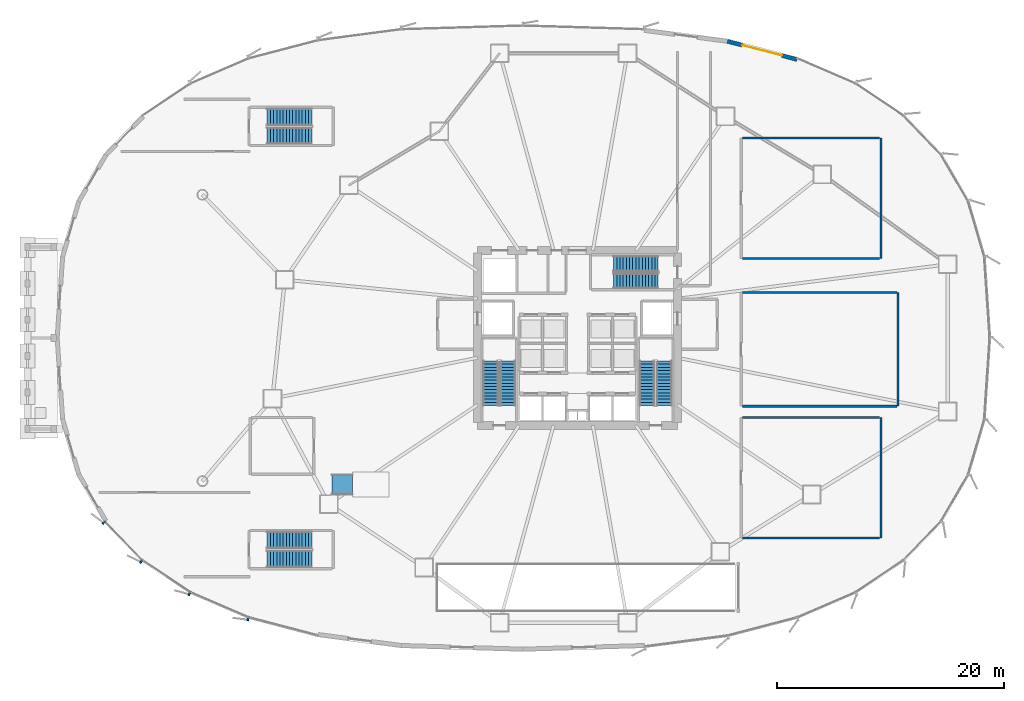
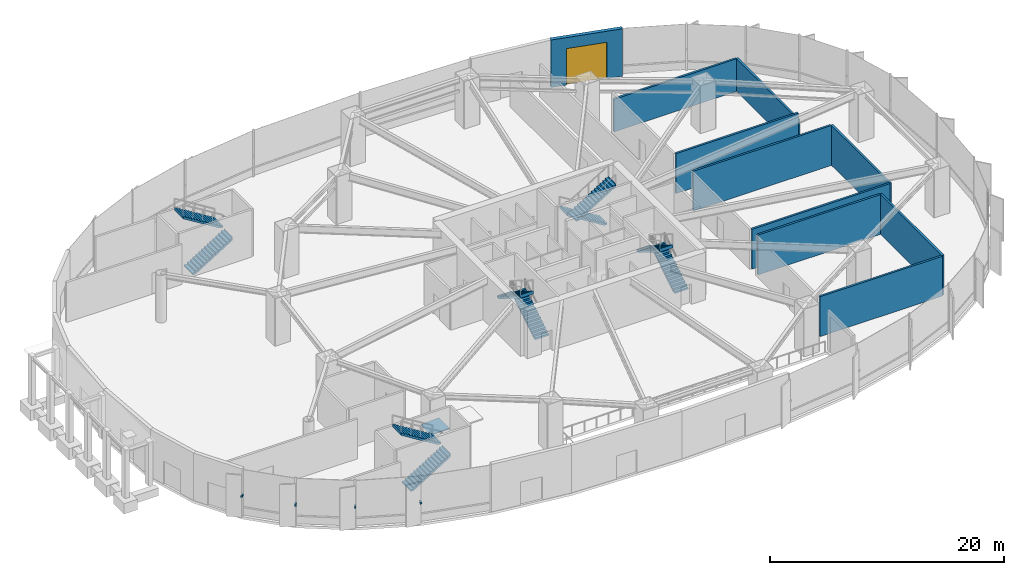
# One storey, part 26 of 35: 10 stair flights, 10 walls, 4 discrete accessories, 1 door, 1 ramp flight, 1 opening, 6 elements without a shape of their own.
"""IFC4 building model written with IfcOpenShell, lengths in metres."""

from ifc_helpers import new_model, si_unit, direction, frame, frame_2d, origin, origin_2d, place, context, subcontext, project, spatial, polyline, rectangle, outline, extrude, source, transform, mapped, material, layer, layer_set, type_object, element, fill, aggregate, save


model = new_model("IFC4")

# Units and contexts
model_context = context("Model", 3, precision=1e-05, world=origin(), true_north=direction((0.0, 1.0)))
body_context = subcontext(model_context, "Body", "Model", "MODEL_VIEW")
ifc_project = project(units=[si_unit("LENGTHUNIT", "METRE"), si_unit("AREAUNIT", "SQUARE_METRE"), si_unit("VOLUMEUNIT", "CUBIC_METRE"), si_unit("PLANEANGLEUNIT", "RADIAN"), si_unit("MASSUNIT", "GRAM", prefix="KILO"), si_unit("THERMODYNAMICTEMPERATUREUNIT", "KELVIN")], contexts=[model_context])

# Site, building, storey
site_placement = place(None, origin())
site = spatial("IfcSite", under=ifc_project, at=site_placement, CompositionType="ELEMENT")
building_placement = place(site_placement, origin())
building = spatial("IfcBuilding", under=site, at=building_placement, Name="Kethvar Cultural Tower", CompositionType="ELEMENT")
storey_placement = place(building_placement, origin())
storey = spatial("IfcBuildingStorey", under=building, at=storey_placement, Name="L00", CompositionType="ELEMENT", Elevation=0.0)

# Wall, opening, door
ifc_material_1 = material(Name="Concrete C40/50", Category="concrete")
ifc_layer_1 = layer(ifc_material_1, 0.35009765625, Name="Concrete C40/50", Category="concrete")
ifc_layer_set_1 = layer_set([ifc_layer_1], Name="Concrete C40/50 (350 mm)")
wall_type_1 = type_object("IfcWallType", Name="WL-EXT-PORTAL-350", PredefinedType="SOLIDWALL", material=ifc_layer_set_1)
wall_1_placement = place(storey_placement, frame((59.994140625, 53.897705078125, 0.0), z_axis=(0.0, 0.0, 1.0), x_axis=(0.967458151093, -0.253031076914, 0.0)))
wall_1 = element("IfcWall", 1, at=wall_1_placement, inside=storey, type_object=wall_type_1, Name="L00 Exterior Portal Wall 07", PredefinedType="SOLIDWALL", context=body_context, shape_type="SweptSolid", body=[
    extrude(rectangle(XDim=6.32958984375, YDim=0.35009765625, at=frame_2d((3.164794921875, 0.0))), origin(), (0.0, 0.0, 1.0), 4.949951171875),
])
opening_placement = place(wall_1_placement, frame((1.36474609375, 0.0, 0.0)))
opening = element("IfcOpeningElement", 2, at=opening_placement, cuts=wall_1, Name="Opening DG-L00", PredefinedType="OPENING", context=body_context, shape_type="SweptSolid", body=[
    extrude(rectangle(XDim=3.60009765625, YDim=3.800048828125, at=frame_2d((1.800048828125, 1.89990234375))), frame((0.0, 0.18505859375, 0.0), z_axis=(0.0, -1.0, 0.0), x_axis=(1.0, 0.0, 0.0)), (0.0, 0.0, 1.0), 0.3701171875),
])
ifc_material_2 = material(Name="Steel S355J2", Category="steel")
door_type = type_object("IfcDoorType", Name="DR-LOADING-3600", OperationType="ROLLINGUP", PredefinedType="GATE", material=ifc_material_2)
shared_shape_1 = source(origin(), body_context, "Body", "SweptSolid", [
    extrude(rectangle(XDim=3.60009765625, YDim=3.800048828125, at=frame_2d((1.800048828125, 1.89990234375))), frame((0.0, 0.02490234375, 0.0), z_axis=(0.0, -1.0, 0.0), x_axis=(1.0, 0.0, 0.0)), (0.0, 0.0, 1.0), 0.050048828125),
])
door_placement = place(opening_placement, origin())
door = element("IfcDoor", 3, at=door_placement, inside=storey, type_object=door_type, Name="Art-Crate Loading Bay Roller Shutter Door", OperationType="ROLLINGUP", OverallHeight=3.800048828125, OverallWidth=3.60009765625, PredefinedType="GATE", context=body_context, shape_type="MappedRepresentation", body=[
    mapped(shared_shape_1, transform((0.0, 0.0, 0.0), scale=1.0)),
])
fill(opening, door)

# Walls
ifc_layer_2 = layer(ifc_material_1, 0.199951171875, Name="Concrete C40/50", Category="concrete")
ifc_layer_set_2 = layer_set([ifc_layer_2], Name="Concrete C40/50 (200 mm)")
wall_type_2 = type_object("IfcWallType", Name="WL-FIRE-200", PredefinedType="PARTITIONING", material=ifc_layer_set_2)
wall_2_placement = place(storey_placement, frame((73.5, 10.199951171875, 0.0), z_axis=(0.0, 0.0, 1.0), x_axis=(0.0, 1.0, 0.0)))
element("IfcWall", 4, at=wall_2_placement, inside=storey, type_object=wall_type_2, Name="L00 Museum Design Book Shop Rear Wall", PredefinedType="PARTITIONING", context=body_context, shape_type="SweptSolid", body=[
    extrude(rectangle(XDim=10.60009765625, YDim=0.199951171875, at=frame_2d((5.300048828125, 0.0))), origin(), (0.0, 0.0, 1.0), 4.1630859375),
])
for number, where, z_axis, x_axis, name in (
    (5, (61.31005859375, 10.199951171875, 0.0), (0.0, 0.0, 1.0), (1.0, 0.0, 0.0), "L00 Museum Design Book Shop South Wall"),
    (6, (61.31005859375, 20.800048828125, 0.0), (0.0, 0.0, 1.0), (1.0, 0.0, 0.0), "L00 Museum Design Book Shop North Wall"),
):
    element("IfcWall", number, at=place(storey_placement, frame(where, z_axis=z_axis, x_axis=x_axis)), inside=storey, type_object=wall_type_2, Name=name, PredefinedType="PARTITIONING", context=body_context, shape_type="SweptSolid", body=[
        extrude(rectangle(XDim=12.079833984375, YDim=0.199951171875, at=frame_2d((6.0400390625, 0.0))), origin(), (0.0, 0.0, 1.0), 4.1630859375),
    ])
wall_3_placement = place(storey_placement, frame((73.5, 34.800048828125, 0.0), z_axis=(0.0, 0.0, 1.0), x_axis=(0.0, 1.0, 0.0)))
element("IfcWall", 7, at=wall_3_placement, inside=storey, type_object=wall_type_2, Name="L00 Museum Cafe and Servery Rear Wall", PredefinedType="PARTITIONING", context=body_context, shape_type="SweptSolid", body=[
    extrude(rectangle(XDim=10.599853515625, YDim=0.199951171875, at=frame_2d((5.2998046875, 0.0))), origin(), (0.0, 0.0, 1.0), 3.405029296875),
])
wall_4_placement = place(storey_placement, frame((61.31005859375, 34.800048828125, 0.0), z_axis=(0.0, 0.0, 1.0), x_axis=(1.0, 0.0, 0.0)))
element("IfcWall", 8, at=wall_4_placement, inside=storey, type_object=wall_type_2, Name="L00 Museum Cafe and Servery South Wall", PredefinedType="PARTITIONING", context=body_context, shape_type="SweptSolid", body=[
    extrude(rectangle(XDim=12.079833984375, YDim=0.199951171875, at=frame_2d((6.0400390625, 0.0))), origin(), (0.0, 0.0, 1.0), 4.1630859375),
])
wall_5_placement = place(storey_placement, frame((61.31005859375, 45.39990234375, 0.0), z_axis=(0.0, 0.0, 1.0), x_axis=(1.0, 0.0, 0.0)))
element("IfcWall", 9, at=wall_5_placement, inside=storey, type_object=wall_type_2, Name="L00 Museum Cafe and Servery North Wall", PredefinedType="PARTITIONING", context=body_context, shape_type="SweptSolid", body=[
    extrude(rectangle(XDim=12.079833984375, YDim=0.199951171875, at=frame_2d((6.0400390625, 0.0))), origin(), (0.0, 0.0, 1.0), 3.405029296875),
])
wall_6_placement = place(storey_placement, frame((75.0, 21.800048828125, 0.0), z_axis=(0.0, 0.0, 1.0), x_axis=(0.0, 1.0, 0.0)))
element("IfcWall", 10, at=wall_6_placement, inside=storey, type_object=wall_type_2, Name="L00 Orientation Gallery Hall Rear Wall", PredefinedType="PARTITIONING", context=body_context, shape_type="SweptSolid", body=[
    extrude(rectangle(XDim=10.0, YDim=0.199951171875, at=frame_2d((5.0, 0.0))), origin(), (0.0, 0.0, 1.0), 4.1630859375),
])
for number, where, z_axis, x_axis, name in (
    (11, (61.31005859375, 21.800048828125, 0.0), (0.0, 0.0, 1.0), (1.0, 0.0, 0.0), "L00 Orientation Gallery Hall South Wall"),
    (12, (61.31005859375, 31.800048828125, 0.0), (0.0, 0.0, 1.0), (1.0, 0.0, 0.0), "L00 Orientation Gallery Hall North Wall"),
):
    element("IfcWall", number, at=place(storey_placement, frame(where, z_axis=z_axis, x_axis=x_axis)), inside=storey, type_object=wall_type_2, Name=name, PredefinedType="PARTITIONING", context=body_context, shape_type="SweptSolid", body=[
        extrude(rectangle(XDim=13.579833984375, YDim=0.199951171875, at=frame_2d((6.7900390625, 0.0))), origin(), (0.0, 0.0, 1.0), 4.1630859375),
    ])

# Stair, stair flights
stair_type_1 = type_object("IfcStairType", Name="ST-DOGLEG-135", PredefinedType="HALF_TURN_STAIR", material=ifc_material_1)
stair_1_placement = place(storey_placement, origin())
stair_1 = element("IfcStair", 13, at=stair_1_placement, inside=storey, type_object=stair_type_1, Name="L00 Core Exit Stair 1", PredefinedType="HALF_TURN_STAIR")
stair_flight_type_1 = type_object("IfcStairFlightType", Name="FL-STRAIGHT-135", PredefinedType="STRAIGHT", material=ifc_material_1)
stair_flight_1_placement = place(storey_placement, frame((40.675048828125, 21.85009765625, 0.0), z_axis=(0.0, 0.0, 1.0), x_axis=(0.0, 1.0, 0.0)))
stair_flight_1 = element("IfcStairFlight", 14, at=stair_flight_1_placement, type_object=stair_flight_type_1, Name="ST-01 flight 1", NumberOfRisers=15, NumberOfTreads=14, PredefinedType="STRAIGHT", RiserHeight=0.173333333, TreadLength=0.28, context=body_context, shape_type="SweptSolid", body=[
    extrude(outline(polyline([(-0.0009765625, -0.0009765625), (-0.0009765625, 0.17333984375), (0.280029296875, 0.17333984375), (0.280029296875, 0.3466796875), (0.56005859375, 0.3466796875), (0.56005859375, 0.52001953125), (0.840087890625, 0.52001953125), (0.840087890625, 0.693359375), (1.1201171875, 0.693359375), (1.1201171875, 0.86669921875), (1.39990234375, 0.86669921875), (1.39990234375, 1.0400390625), (1.679931640625, 1.0400390625), (1.679931640625, 1.21337890625), (1.9599609375, 1.21337890625), (1.9599609375, 1.38671875), (2.239990234375, 1.38671875), (2.239990234375, 1.56005859375), (2.52001953125, 1.56005859375), (2.52001953125, 1.7333984375), (2.800048828125, 1.7333984375), (2.800048828125, 1.90673828125), (3.080078125, 1.90673828125), (3.080078125, 2.080078125), (3.360107421875, 2.080078125), (3.360107421875, 2.25341796875), (3.639892578125, 2.25341796875), (3.639892578125, 2.4267578125), (3.919921875, 2.4267578125), (3.919921875, 2.60009765625), (3.9208984375, 2.60009765625), (3.9208984375, 2.250244140625), (0.284912109375, 0.0), (0.0, -0.0009765625), (-0.0009765625, -0.0009765625)])), frame((0.0, 0.675048828125, 0.0), z_axis=(0.0, -1.0, 0.0), x_axis=(1.0, 0.0, 0.0)), (0.0, 0.0, 1.0), 1.35009765625),
])
stair_flight_2_placement = place(storey_placement, frame((39.1650390625, 25.77001953125, 2.60009765625), z_axis=(0.0, 0.0, 1.0), x_axis=(0.0, -1.0, 0.0)))
stair_flight_2 = element("IfcStairFlight", 15, at=stair_flight_2_placement, type_object=stair_flight_type_1, Name="ST-01 flight 2", NumberOfRisers=15, NumberOfTreads=14, PredefinedType="STRAIGHT", RiserHeight=0.173333333, TreadLength=0.28, context=body_context, shape_type="SweptSolid", body=[
    extrude(outline(polyline([(-0.0009765625, -0.0009765625), (-0.0009765625, 0.17333984375), (0.280029296875, 0.17333984375), (0.280029296875, 0.3466796875), (0.56005859375, 0.3466796875), (0.56005859375, 0.52001953125), (0.840087890625, 0.52001953125), (0.840087890625, 0.693359375), (1.1201171875, 0.693359375), (1.1201171875, 0.86669921875), (1.39990234375, 0.86669921875), (1.39990234375, 1.0400390625), (1.679931640625, 1.0400390625), (1.679931640625, 1.21337890625), (1.9599609375, 1.21337890625), (1.9599609375, 1.38671875), (2.239990234375, 1.38671875), (2.239990234375, 1.56005859375), (2.52001953125, 1.56005859375), (2.52001953125, 1.7333984375), (2.800048828125, 1.7333984375), (2.800048828125, 1.90673828125), (3.080078125, 1.90673828125), (3.080078125, 2.080078125), (3.360107421875, 2.080078125), (3.360107421875, 2.25341796875), (3.639892578125, 2.25341796875), (3.639892578125, 2.4267578125), (3.919921875, 2.4267578125), (3.919921875, 2.60009765625), (3.9208984375, 2.60009765625), (3.9208984375, 2.250244140625), (0.284912109375, 0.0), (0.0, -0.0009765625), (-0.0009765625, -0.0009765625)])), frame((0.0, 0.675048828125, 0.0), z_axis=(0.0, -1.0, 0.0), x_axis=(1.0, 0.0, 0.0)), (0.0, 0.0, 1.0), 1.35009765625),
])
aggregate(stair_1, [stair_flight_1, stair_flight_2])

stair_2_placement = place(storey_placement, origin())
stair_2 = element("IfcStair", 16, at=stair_2_placement, inside=storey, type_object=stair_type_1, Name="L00 Core Exit Stair 2", PredefinedType="HALF_TURN_STAIR")
stair_flight_3_placement = place(storey_placement, frame((54.43505859375, 21.85009765625, 0.0), z_axis=(0.0, 0.0, 1.0), x_axis=(0.0, 1.0, 0.0)))
stair_flight_3 = element("IfcStairFlight", 17, at=stair_flight_3_placement, type_object=stair_flight_type_1, Name="ST-02 flight 1", NumberOfRisers=15, NumberOfTreads=14, PredefinedType="STRAIGHT", RiserHeight=0.173333333, TreadLength=0.28, context=body_context, shape_type="SweptSolid", body=[
    extrude(outline(polyline([(-0.0009765625, -0.0009765625), (-0.0009765625, 0.17333984375), (0.280029296875, 0.17333984375), (0.280029296875, 0.3466796875), (0.56005859375, 0.3466796875), (0.56005859375, 0.52001953125), (0.840087890625, 0.52001953125), (0.840087890625, 0.693359375), (1.1201171875, 0.693359375), (1.1201171875, 0.86669921875), (1.39990234375, 0.86669921875), (1.39990234375, 1.0400390625), (1.679931640625, 1.0400390625), (1.679931640625, 1.21337890625), (1.9599609375, 1.21337890625), (1.9599609375, 1.38671875), (2.239990234375, 1.38671875), (2.239990234375, 1.56005859375), (2.52001953125, 1.56005859375), (2.52001953125, 1.7333984375), (2.800048828125, 1.7333984375), (2.800048828125, 1.90673828125), (3.080078125, 1.90673828125), (3.080078125, 2.080078125), (3.360107421875, 2.080078125), (3.360107421875, 2.25341796875), (3.639892578125, 2.25341796875), (3.639892578125, 2.4267578125), (3.919921875, 2.4267578125), (3.919921875, 2.60009765625), (3.9208984375, 2.60009765625), (3.9208984375, 2.250244140625), (0.284912109375, 0.0), (0.0, -0.0009765625), (-0.0009765625, -0.0009765625)])), frame((0.0, 0.675048828125, 0.0), z_axis=(0.0, -1.0, 0.0), x_axis=(1.0, 0.0, 0.0)), (0.0, 0.0, 1.0), 1.35009765625),
])
stair_flight_4_placement = place(storey_placement, frame((52.925048828125, 25.77001953125, 2.60009765625), z_axis=(0.0, 0.0, 1.0), x_axis=(0.0, -1.0, 0.0)))
stair_flight_4 = element("IfcStairFlight", 18, at=stair_flight_4_placement, type_object=stair_flight_type_1, Name="ST-02 flight 2", NumberOfRisers=15, NumberOfTreads=14, PredefinedType="STRAIGHT", RiserHeight=0.173333333, TreadLength=0.28, context=body_context, shape_type="SweptSolid", body=[
    extrude(outline(polyline([(-0.0009765625, -0.0009765625), (-0.0009765625, 0.17333984375), (0.280029296875, 0.17333984375), (0.280029296875, 0.3466796875), (0.56005859375, 0.3466796875), (0.56005859375, 0.52001953125), (0.840087890625, 0.52001953125), (0.840087890625, 0.693359375), (1.1201171875, 0.693359375), (1.1201171875, 0.86669921875), (1.39990234375, 0.86669921875), (1.39990234375, 1.0400390625), (1.679931640625, 1.0400390625), (1.679931640625, 1.21337890625), (1.9599609375, 1.21337890625), (1.9599609375, 1.38671875), (2.239990234375, 1.38671875), (2.239990234375, 1.56005859375), (2.52001953125, 1.56005859375), (2.52001953125, 1.7333984375), (2.800048828125, 1.7333984375), (2.800048828125, 1.90673828125), (3.080078125, 1.90673828125), (3.080078125, 2.080078125), (3.360107421875, 2.080078125), (3.360107421875, 2.25341796875), (3.639892578125, 2.25341796875), (3.639892578125, 2.4267578125), (3.919921875, 2.4267578125), (3.919921875, 2.60009765625), (3.9208984375, 2.60009765625), (3.9208984375, 2.250244140625), (0.284912109375, 0.0), (0.0, -0.0009765625), (-0.0009765625, -0.0009765625)])), frame((0.0, 0.675048828125, 0.0), z_axis=(0.0, -1.0, 0.0), x_axis=(1.0, 0.0, 0.0)), (0.0, 0.0, 1.0), 1.35009765625),
])
aggregate(stair_2, [stair_flight_3, stair_flight_4])

stair_3_placement = place(storey_placement, origin())
stair_3 = element("IfcStair", 19, at=stair_3_placement, inside=storey, type_object=stair_type_1, Name="L00 Core Exit Stair 3", PredefinedType="HALF_TURN_STAIR")
stair_flight_5_placement = place(storey_placement, frame((53.89990234375, 34.3349609375, 0.0), z_axis=(0.0, 0.0, 1.0), x_axis=(-1.0, 0.0, 0.0)))
stair_flight_5 = element("IfcStairFlight", 20, at=stair_flight_5_placement, type_object=stair_flight_type_1, Name="ST-03 flight 1", NumberOfRisers=15, NumberOfTreads=14, PredefinedType="STRAIGHT", RiserHeight=0.173333333, TreadLength=0.28, context=body_context, shape_type="SweptSolid", body=[
    extrude(outline(polyline([(-0.0009765625, -0.0009765625), (-0.0009765625, 0.17333984375), (0.280029296875, 0.17333984375), (0.280029296875, 0.3466796875), (0.56005859375, 0.3466796875), (0.56005859375, 0.52001953125), (0.840087890625, 0.52001953125), (0.840087890625, 0.693359375), (1.1201171875, 0.693359375), (1.1201171875, 0.86669921875), (1.39990234375, 0.86669921875), (1.39990234375, 1.0400390625), (1.679931640625, 1.0400390625), (1.679931640625, 1.21337890625), (1.9599609375, 1.21337890625), (1.9599609375, 1.38671875), (2.239990234375, 1.38671875), (2.239990234375, 1.56005859375), (2.52001953125, 1.56005859375), (2.52001953125, 1.7333984375), (2.800048828125, 1.7333984375), (2.800048828125, 1.90673828125), (3.080078125, 1.90673828125), (3.080078125, 2.080078125), (3.360107421875, 2.080078125), (3.360107421875, 2.25341796875), (3.639892578125, 2.25341796875), (3.639892578125, 2.4267578125), (3.919921875, 2.4267578125), (3.919921875, 2.60009765625), (3.9208984375, 2.60009765625), (3.9208984375, 2.250244140625), (0.284912109375, 0.0), (0.0, -0.0009765625), (-0.0009765625, -0.0009765625)])), frame((0.0, 0.675048828125, 0.0), z_axis=(0.0, -1.0, 0.0), x_axis=(1.0, 0.0, 0.0)), (0.0, 0.0, 1.0), 1.35009765625),
])
stair_flight_6_placement = place(storey_placement, frame((49.97998046875, 32.824951171875, 2.60009765625), z_axis=(0.0, 0.0, 1.0), x_axis=(1.0, 0.0, 0.0)))
stair_flight_6 = element("IfcStairFlight", 21, at=stair_flight_6_placement, type_object=stair_flight_type_1, Name="ST-03 flight 2", NumberOfRisers=15, NumberOfTreads=14, PredefinedType="STRAIGHT", RiserHeight=0.173333333, TreadLength=0.28, context=body_context, shape_type="SweptSolid", body=[
    extrude(outline(polyline([(-0.0009765625, -0.0009765625), (-0.0009765625, 0.17333984375), (0.280029296875, 0.17333984375), (0.280029296875, 0.3466796875), (0.56005859375, 0.3466796875), (0.56005859375, 0.52001953125), (0.840087890625, 0.52001953125), (0.840087890625, 0.693359375), (1.1201171875, 0.693359375), (1.1201171875, 0.86669921875), (1.39990234375, 0.86669921875), (1.39990234375, 1.0400390625), (1.679931640625, 1.0400390625), (1.679931640625, 1.21337890625), (1.9599609375, 1.21337890625), (1.9599609375, 1.38671875), (2.239990234375, 1.38671875), (2.239990234375, 1.56005859375), (2.52001953125, 1.56005859375), (2.52001953125, 1.7333984375), (2.800048828125, 1.7333984375), (2.800048828125, 1.90673828125), (3.080078125, 1.90673828125), (3.080078125, 2.080078125), (3.360107421875, 2.080078125), (3.360107421875, 2.25341796875), (3.639892578125, 2.25341796875), (3.639892578125, 2.4267578125), (3.919921875, 2.4267578125), (3.919921875, 2.60009765625), (3.9208984375, 2.60009765625), (3.9208984375, 2.250244140625), (0.284912109375, 0.0), (0.0, -0.0009765625), (-0.0009765625, -0.0009765625)])), frame((0.0, 0.675048828125, 0.0), z_axis=(0.0, -1.0, 0.0), x_axis=(1.0, 0.0, 0.0)), (0.0, 0.0, 1.0), 1.35009765625),
])
aggregate(stair_3, [stair_flight_5, stair_flight_6])

stair_type_2 = type_object("IfcStairType", Name="ST-DOGLEG-150", PredefinedType="HALF_TURN_STAIR", material=ifc_material_1)
stair_4_placement = place(storey_placement, origin())
stair_4 = element("IfcStair", 22, at=stair_4_placement, inside=storey, type_object=stair_type_2, Name="L00 Podium Auditorium Exit Stair 4", PredefinedType="HALF_TURN_STAIR")
stair_flight_type_2 = type_object("IfcStairFlightType", Name="FL-STRAIGHT-150", PredefinedType="STRAIGHT", material=ifc_material_1)
stair_flight_7_placement = place(storey_placement, frame((19.5, 8.35009765625, 0.0), z_axis=(0.0, 0.0, 1.0), x_axis=(1.0, 0.0, 0.0)))
stair_flight_7 = element("IfcStairFlight", 23, at=stair_flight_7_placement, type_object=stair_flight_type_2, Name="ST-04 flight 1", NumberOfRisers=15, NumberOfTreads=14, PredefinedType="STRAIGHT", RiserHeight=0.173333333, TreadLength=0.28, context=body_context, shape_type="SweptSolid", body=[
    extrude(outline(polyline([(-0.0009765625, -0.0009765625), (-0.0009765625, 0.17333984375), (0.280029296875, 0.17333984375), (0.280029296875, 0.3466796875), (0.56005859375, 0.3466796875), (0.56005859375, 0.52001953125), (0.840087890625, 0.52001953125), (0.840087890625, 0.693359375), (1.1201171875, 0.693359375), (1.1201171875, 0.86669921875), (1.39990234375, 0.86669921875), (1.39990234375, 1.0400390625), (1.679931640625, 1.0400390625), (1.679931640625, 1.21337890625), (1.9599609375, 1.21337890625), (1.9599609375, 1.38671875), (2.239990234375, 1.38671875), (2.239990234375, 1.56005859375), (2.52001953125, 1.56005859375), (2.52001953125, 1.7333984375), (2.800048828125, 1.7333984375), (2.800048828125, 1.90673828125), (3.080078125, 1.90673828125), (3.080078125, 2.080078125), (3.360107421875, 2.080078125), (3.360107421875, 2.25341796875), (3.639892578125, 2.25341796875), (3.639892578125, 2.4267578125), (3.919921875, 2.4267578125), (3.919921875, 2.60009765625), (3.9208984375, 2.60009765625), (3.9208984375, 2.250244140625), (0.284912109375, 0.0), (0.0, -0.0009765625), (-0.0009765625, -0.0009765625)])), frame((0.0, 0.75, 0.0), z_axis=(0.0, -1.0, 0.0), x_axis=(1.0, 0.0, 0.0)), (0.0, 0.0, 1.0), 1.5),
])
stair_flight_8_placement = place(storey_placement, frame((23.419921875, 10.010009765625, 2.60009765625), z_axis=(0.0, 0.0, 1.0), x_axis=(-1.0, 0.0, 0.0)))
stair_flight_8 = element("IfcStairFlight", 24, at=stair_flight_8_placement, type_object=stair_flight_type_2, Name="ST-04 flight 2", NumberOfRisers=15, NumberOfTreads=14, PredefinedType="STRAIGHT", RiserHeight=0.173333333, TreadLength=0.28, context=body_context, shape_type="SweptSolid", body=[
    extrude(outline(polyline([(-0.0009765625, -0.0009765625), (-0.0009765625, 0.17333984375), (0.280029296875, 0.17333984375), (0.280029296875, 0.3466796875), (0.56005859375, 0.3466796875), (0.56005859375, 0.52001953125), (0.840087890625, 0.52001953125), (0.840087890625, 0.693359375), (1.1201171875, 0.693359375), (1.1201171875, 0.86669921875), (1.39990234375, 0.86669921875), (1.39990234375, 1.0400390625), (1.679931640625, 1.0400390625), (1.679931640625, 1.21337890625), (1.9599609375, 1.21337890625), (1.9599609375, 1.38671875), (2.239990234375, 1.38671875), (2.239990234375, 1.56005859375), (2.52001953125, 1.56005859375), (2.52001953125, 1.7333984375), (2.800048828125, 1.7333984375), (2.800048828125, 1.90673828125), (3.080078125, 1.90673828125), (3.080078125, 2.080078125), (3.360107421875, 2.080078125), (3.360107421875, 2.25341796875), (3.639892578125, 2.25341796875), (3.639892578125, 2.4267578125), (3.919921875, 2.4267578125), (3.919921875, 2.60009765625), (3.9208984375, 2.60009765625), (3.9208984375, 2.250244140625), (0.284912109375, 0.0), (0.0, -0.0009765625), (-0.0009765625, -0.0009765625)])), frame((0.0, 0.75, 0.0), z_axis=(0.0, -1.0, 0.0), x_axis=(1.0, 0.0, 0.0)), (0.0, 0.0, 1.0), 1.5),
])
aggregate(stair_4, [stair_flight_7, stair_flight_8])

stair_5_placement = place(storey_placement, origin())
stair_5 = element("IfcStair", 25, at=stair_5_placement, inside=storey, type_object=stair_type_2, Name="L00 Podium Auditorium Exit Stair 5", PredefinedType="HALF_TURN_STAIR")
stair_flight_9_placement = place(storey_placement, frame((19.5, 45.590087890625, 0.0), z_axis=(0.0, 0.0, 1.0), x_axis=(1.0, 0.0, 0.0)))
stair_flight_9 = element("IfcStairFlight", 26, at=stair_flight_9_placement, type_object=stair_flight_type_2, Name="ST-05 flight 1", NumberOfRisers=15, NumberOfTreads=14, PredefinedType="STRAIGHT", RiserHeight=0.173333333, TreadLength=0.28, context=body_context, shape_type="SweptSolid", body=[
    extrude(outline(polyline([(-0.0009765625, -0.0009765625), (-0.0009765625, 0.17333984375), (0.280029296875, 0.17333984375), (0.280029296875, 0.3466796875), (0.56005859375, 0.3466796875), (0.56005859375, 0.52001953125), (0.840087890625, 0.52001953125), (0.840087890625, 0.693359375), (1.1201171875, 0.693359375), (1.1201171875, 0.86669921875), (1.39990234375, 0.86669921875), (1.39990234375, 1.0400390625), (1.679931640625, 1.0400390625), (1.679931640625, 1.21337890625), (1.9599609375, 1.21337890625), (1.9599609375, 1.38671875), (2.239990234375, 1.38671875), (2.239990234375, 1.56005859375), (2.52001953125, 1.56005859375), (2.52001953125, 1.7333984375), (2.800048828125, 1.7333984375), (2.800048828125, 1.90673828125), (3.080078125, 1.90673828125), (3.080078125, 2.080078125), (3.360107421875, 2.080078125), (3.360107421875, 2.25341796875), (3.639892578125, 2.25341796875), (3.639892578125, 2.4267578125), (3.919921875, 2.4267578125), (3.919921875, 2.60009765625), (3.9208984375, 2.60009765625), (3.9208984375, 2.250244140625), (0.284912109375, 0.0), (0.0, -0.0009765625), (-0.0009765625, -0.0009765625)])), frame((0.0, 0.75, 0.0), z_axis=(0.0, -1.0, 0.0), x_axis=(1.0, 0.0, 0.0)), (0.0, 0.0, 1.0), 1.5),
])
stair_flight_10_placement = place(storey_placement, frame((23.419921875, 47.25, 2.60009765625), z_axis=(0.0, 0.0, 1.0), x_axis=(-1.0, 0.0, 0.0)))
stair_flight_10 = element("IfcStairFlight", 27, at=stair_flight_10_placement, type_object=stair_flight_type_2, Name="ST-05 flight 2", NumberOfRisers=15, NumberOfTreads=14, PredefinedType="STRAIGHT", RiserHeight=0.173333333, TreadLength=0.28, context=body_context, shape_type="SweptSolid", body=[
    extrude(outline(polyline([(-0.0009765625, -0.0009765625), (-0.0009765625, 0.17333984375), (0.280029296875, 0.17333984375), (0.280029296875, 0.3466796875), (0.56005859375, 0.3466796875), (0.56005859375, 0.52001953125), (0.840087890625, 0.52001953125), (0.840087890625, 0.693359375), (1.1201171875, 0.693359375), (1.1201171875, 0.86669921875), (1.39990234375, 0.86669921875), (1.39990234375, 1.0400390625), (1.679931640625, 1.0400390625), (1.679931640625, 1.21337890625), (1.9599609375, 1.21337890625), (1.9599609375, 1.38671875), (2.239990234375, 1.38671875), (2.239990234375, 1.56005859375), (2.52001953125, 1.56005859375), (2.52001953125, 1.7333984375), (2.800048828125, 1.7333984375), (2.800048828125, 1.90673828125), (3.080078125, 1.90673828125), (3.080078125, 2.080078125), (3.360107421875, 2.080078125), (3.360107421875, 2.25341796875), (3.639892578125, 2.25341796875), (3.639892578125, 2.4267578125), (3.919921875, 2.4267578125), (3.919921875, 2.60009765625), (3.9208984375, 2.60009765625), (3.9208984375, 2.250244140625), (0.284912109375, 0.0), (0.0, -0.0009765625), (-0.0009765625, -0.0009765625)])), frame((0.0, 0.75, 0.0), z_axis=(0.0, -1.0, 0.0), x_axis=(1.0, 0.0, 0.0)), (0.0, 0.0, 1.0), 1.5),
])
aggregate(stair_5, [stair_flight_9, stair_flight_10])

# Ramp, ramp flight
ramp_type = type_object("IfcRampType", Name="RMP-ACC-1800", PredefinedType="STRAIGHT_RUN_RAMP", material=ifc_material_1)
ramp_placement = place(storey_placement, origin())
ramp = element("IfcRamp", 28, at=ramp_placement, inside=storey, type_object=ramp_type, Name="L00 Accessible Foyer Ramp 1", PredefinedType="STRAIGHT_RUN_RAMP")
ifc_layer_3 = layer(ifc_material_1, 0.1201171875, Name="Concrete C40/50", Category="concrete")
ifc_layer_set_3 = layer_set([ifc_layer_3], Name="Concrete C40/50 (120 mm)")
ramp_flight_type = type_object("IfcRampFlightType", Name="RFL-ACC-1800", PredefinedType="STRAIGHT", material=ifc_layer_set_3)
ramp_flight_placement = place(storey_placement, frame((25.199951171875, 14.89990234375, 0.0), z_axis=(0.0, 0.0, 1.0), x_axis=(1.0, 0.0, 0.0)))
ramp_flight = element("IfcRampFlight", 29, at=ramp_flight_placement, type_object=ramp_flight_type, Name="L00 Accessible Foyer Ramp Flight 1", PredefinedType="STRAIGHT", context=body_context, shape_type="SweptSolid", body=[
    extrude(outline(polyline([(-0.0009765625, -0.0009765625), (1.801025390625, -0.0009765625), (1.801025390625, 0.1201171875), (-0.0009765625, 0.008056640625), (-0.0009765625, -0.0009765625)])), frame((0.0, 0.89990234375, 0.0), z_axis=(0.0, -1.0, 0.0), x_axis=(1.0, 0.0, 0.0)), (0.0, 0.0, 1.0), 1.800048828125),
])
aggregate(ramp, [ramp_flight])

# Discrete accessories
discrete_accessory_type = type_object("IfcDiscreteAccessoryType", Name="Steel Fin Bracket BRK-01", PredefinedType="BRACKET", material=ifc_material_2)
shared_shape_2 = source(origin(), body_context, "Body", "SweptSolid", [
    extrude(rectangle(XDim=0.3798828125, YDim=0.159912109375, at=origin_2d()), origin(), (0.0, 0.0, 1.0), 0.179931640625),
])
for number, where, z_axis, x_axis, name in (
    (30, (5.14208984375, 11.564208984375, 2.1298828125), (0.0, 0.0, 1.0), (-0.72055111168, -0.693401828276, 0.0), "L00 Terracotta Fin Bracket 3.1"),
    (31, (8.431396484375, 8.14599609375, 2.1298828125), (0.0, 0.0, 1.0), (-0.556585649903, -0.83079023485, 0.0), "L00 Terracotta Fin Bracket 3.2"),
    (32, (12.669677734375, 5.306884765625, 2.1298828125), (0.0, 0.0, 1.0), (-0.396346847517, -0.9181008531, 0.0), "L00 Terracotta Fin Bracket 3.3"),
    (33, (17.82421875, 3.081298828125, 2.1298828125), (0.0, 0.0, 1.0), (-0.253082602519, -0.96744467351, 0.0), "L00 Terracotta Fin Bracket 3.4"),
):
    element("IfcDiscreteAccessory", number, at=place(storey_placement, frame(where, z_axis=z_axis, x_axis=x_axis)), inside=storey, type_object=discrete_accessory_type, Name=name, PredefinedType="BRACKET", context=body_context, shape_type="MappedRepresentation", body=[
        mapped(shared_shape_2, transform((0.0, 0.0, 0.0), scale=1.0)),
    ])

save(model, "model.ifc")
